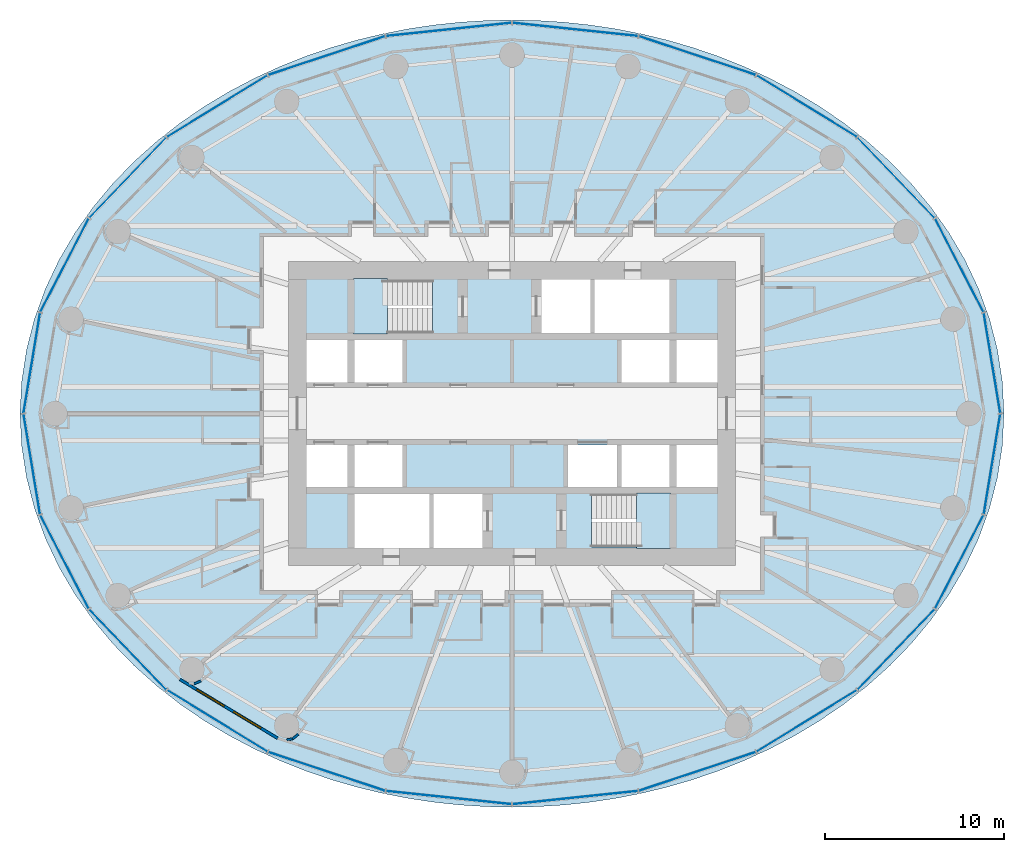
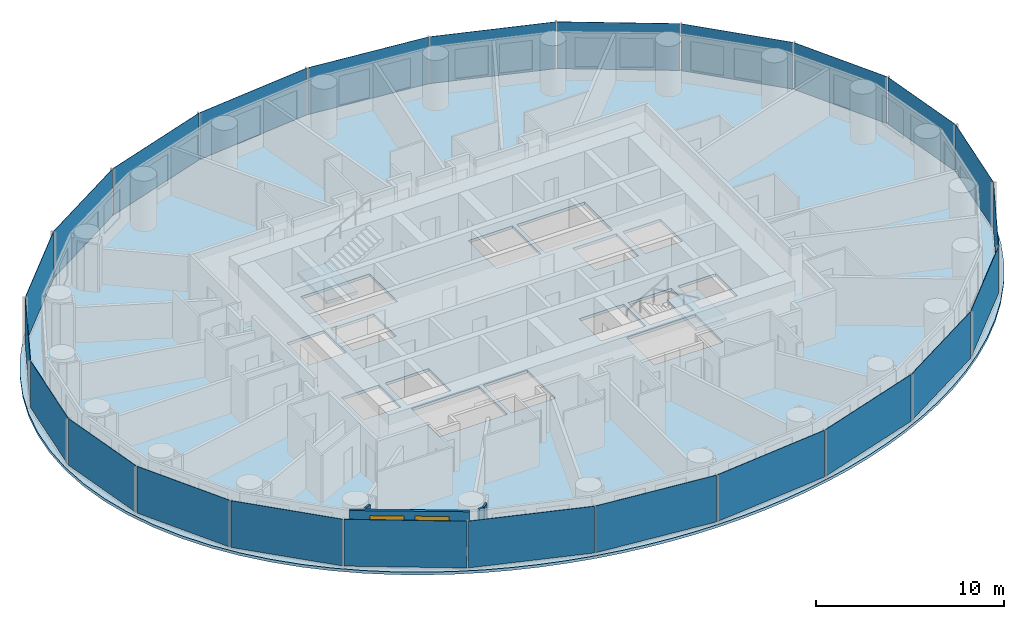
# One storey, part 5 of 14: 24 plates, 4 walls, 3 slabs, 2 windows, 2 openings, 6 elements without a shape of their own.
"""IFC4 building model written with IfcOpenShell, lengths in metres."""

from ifc_helpers import new_model, si_unit, direction, frame, frame_2d, origin, origin_2d, place, context, subcontext, project, spatial, polyline, rectangle, outline, extrude, material, layer, layer_set, type_object, element, fill, aggregate, save


model = new_model("IFC4")

# Units and contexts
model_context = context("Model", 3, precision=1e-05, world=origin(), true_north=direction((0.0, 1.0)))
body_context = subcontext(model_context, "Body", "Model", "MODEL_VIEW")
ifc_project = project(units=[si_unit("LENGTHUNIT", "METRE"), si_unit("AREAUNIT", "SQUARE_METRE"), si_unit("VOLUMEUNIT", "CUBIC_METRE"), si_unit("PLANEANGLEUNIT", "RADIAN"), si_unit("MASSUNIT", "GRAM", prefix="KILO")], contexts=[model_context])

# Site, building, storey
site_placement = place(None, origin())
site = spatial("IfcSite", under=ifc_project, at=site_placement, CompositionType="ELEMENT")
building_placement = place(site_placement, origin())
building = spatial("IfcBuilding", under=site, at=building_placement, Name="Hankou Lantern Tower", CompositionType="ELEMENT")
storey_placement = place(building_placement, frame((0.0, 0.0, 50.699951171875)))
storey = spatial("IfcBuildingStorey", under=building, at=storey_placement, Name="L11", CompositionType="ELEMENT", Elevation=50.699951171875)

# Curtain wall, plates
ifc_material_1 = material(Name="Glass, dark grey tinted laminated", Category="glass")
curtain_wall_type = type_object("IfcCurtainWallType", Name="CWA OUTER SKIN LOW-RISE", PredefinedType="USERDEFINED", material=ifc_material_1)
curtain_wall_1_placement = place(storey_placement, origin())
curtain_wall_1 = element("IfcCurtainWall", 1, at=curtain_wall_1_placement, inside=storey, type_object=curtain_wall_type, Name="CWA L11 OS1", ObjectType="OUTER SKIN LOW-RISE", PredefinedType="USERDEFINED")
ifc_material_2 = material(Name="Glass, dark grey tinted laminated", Category="glass")
ifc_layer_1 = layer(ifc_material_2, 0.02392578125)
ifc_layer_set_1 = layer_set([ifc_layer_1], Name="Glass, dark grey tinted laminated")
plate_type = type_object("IfcPlateType", Name="PN1 OUTER SKIN GLASS PANEL", PredefinedType="CURTAIN_PANEL", material=ifc_layer_set_1)
plate_1_placement = place(storey_placement, frame((26.8349609375, 2.826416015625, 0.080078125), z_axis=(0.0, 0.0, 1.0), x_axis=(-0.162381515188, 0.986728049427, 0.0)))
plate_1 = element("IfcPlate", 2, at=plate_1_placement, type_object=plate_type, Name="CWA glass panel 1", PredefinedType="CURTAIN_PANEL", context=body_context, shape_type="SweptSolid", body=[
    extrude(rectangle(XDim=5.648681640625, YDim=0.02392578125, at=origin_2d()), origin(), (0.0, 0.0, 1.0), 3.0400390625),
])
plate_2_placement = place(storey_placement, frame((25.006103515625, 8.286376953125, 0.080078125), z_axis=(0.0, 0.0, 1.0), x_axis=(-0.459791091957, 0.888027112062, 0.0)))
plate_2 = element("IfcPlate", 3, at=plate_2_placement, type_object=plate_type, Name="CWA glass panel 2", PredefinedType="CURTAIN_PANEL", context=body_context, shape_type="SweptSolid", body=[
    extrude(rectangle(XDim=5.8515625, YDim=0.02392578125, at=origin_2d()), origin(), (0.0, 0.0, 1.0), 3.0400390625),
])
plate_3_placement = place(storey_placement, frame((21.47314453125, 13.181640625, 0.080078125), z_axis=(0.0, 0.0, 1.0), x_axis=(-0.692215809936, 0.721690565599, 0.0)))
plate_3 = element("IfcPlate", 4, at=plate_3_placement, type_object=plate_type, Name="CWA glass panel 3", PredefinedType="CURTAIN_PANEL", context=body_context, shape_type="SweptSolid", body=[
    extrude(rectangle(XDim=6.1875, YDim=0.02392578125, at=origin_2d()), origin(), (0.0, 0.0, 1.0), 3.0400390625),
])
plate_4_placement = place(storey_placement, frame((16.47705078125, 17.1787109375, 0.080078125), z_axis=(0.0, 0.0, 1.0), x_axis=(-0.852237151549, 0.523155653242, 0.0)))
plate_4 = element("IfcPlate", 5, at=plate_4_placement, type_object=plate_type, Name="CWA glass panel 4", PredefinedType="CURTAIN_PANEL", context=body_context, shape_type="SweptSolid", body=[
    extrude(rectangle(XDim=6.554443359375, YDim=0.02392578125, at=origin_2d()), origin(), (0.0, 0.0, 1.0), 3.0400390625),
])
plate_5_placement = place(storey_placement, frame((10.35791015625, 20.0048828125, 0.080078125), z_axis=(0.0, 0.0, 1.0), x_axis=(-0.949240677293, 0.31455068999, 0.0)))
plate_5 = element("IfcPlate", 6, at=plate_5_placement, type_object=plate_type, Name="CWA glass panel 5", PredefinedType="CURTAIN_PANEL", context=body_context, shape_type="SweptSolid", body=[
    extrude(rectangle(XDim=6.856201171875, YDim=0.02392578125, at=origin_2d()), origin(), (0.0, 0.0, 1.0), 3.0400390625),
])
plate_6_placement = place(storey_placement, frame((3.532958984375, 21.468017578125, 0.080078125), z_axis=(0.0, 0.0, 1.0), x_axis=(-0.994499359107, 0.104742659579, 0.0)))
plate_6 = element("IfcPlate", 7, at=plate_6_placement, type_object=plate_type, Name="CWA glass panel 6", PredefinedType="CURTAIN_PANEL", context=body_context, shape_type="SweptSolid", body=[
    extrude(rectangle(XDim=7.02490234375, YDim=0.02392578125, at=origin_2d()), origin(), (0.0, 0.0, 1.0), 3.0400390625),
])
aggregate(curtain_wall_1, [plate_1, plate_2, plate_3, plate_4, plate_5, plate_6])

curtain_wall_2_placement = place(storey_placement, origin())
curtain_wall_2 = element("IfcCurtainWall", 8, at=curtain_wall_2_placement, inside=storey, type_object=curtain_wall_type, Name="CWA L11 OS2", ObjectType="OUTER SKIN LOW-RISE", PredefinedType="USERDEFINED")
plate_7_placement = place(storey_placement, frame((-3.532958984375, 21.468017578125, 0.080078125), z_axis=(0.0, 0.0, 1.0), x_axis=(-0.994499359107, -0.104742659579, 0.0)))
plate_7 = element("IfcPlate", 9, at=plate_7_placement, type_object=plate_type, Name="CWA glass panel 1", PredefinedType="CURTAIN_PANEL", context=body_context, shape_type="SweptSolid", body=[
    extrude(rectangle(XDim=7.02490234375, YDim=0.02392578125, at=origin_2d()), origin(), (0.0, 0.0, 1.0), 3.0400390625),
])
plate_8_placement = place(storey_placement, frame((-10.35791015625, 20.0048828125, 0.080078125), z_axis=(0.0, 0.0, 1.0), x_axis=(-0.949240677293, -0.31455068999, 0.0)))
plate_8 = element("IfcPlate", 10, at=plate_8_placement, type_object=plate_type, Name="CWA glass panel 2", PredefinedType="CURTAIN_PANEL", context=body_context, shape_type="SweptSolid", body=[
    extrude(rectangle(XDim=6.856201171875, YDim=0.02392578125, at=origin_2d()), origin(), (0.0, 0.0, 1.0), 3.0400390625),
])
plate_9_placement = place(storey_placement, frame((-16.47705078125, 17.1787109375, 0.080078125), z_axis=(0.0, 0.0, 1.0), x_axis=(-0.852237151549, -0.523155653242, 0.0)))
plate_9 = element("IfcPlate", 11, at=plate_9_placement, type_object=plate_type, Name="CWA glass panel 3", PredefinedType="CURTAIN_PANEL", context=body_context, shape_type="SweptSolid", body=[
    extrude(rectangle(XDim=6.554443359375, YDim=0.02392578125, at=origin_2d()), origin(), (0.0, 0.0, 1.0), 3.0400390625),
])
plate_10_placement = place(storey_placement, frame((-21.47314453125, 13.181640625, 0.080078125), z_axis=(0.0, 0.0, 1.0), x_axis=(-0.692215809936, -0.721690565599, 0.0)))
plate_10 = element("IfcPlate", 12, at=plate_10_placement, type_object=plate_type, Name="CWA glass panel 4", PredefinedType="CURTAIN_PANEL", context=body_context, shape_type="SweptSolid", body=[
    extrude(rectangle(XDim=6.1875, YDim=0.02392578125, at=origin_2d()), origin(), (0.0, 0.0, 1.0), 3.0400390625),
])
plate_11_placement = place(storey_placement, frame((-25.006103515625, 8.286376953125, 0.080078125), z_axis=(0.0, 0.0, 1.0), x_axis=(-0.459791091957, -0.888027112062, 0.0)))
plate_11 = element("IfcPlate", 13, at=plate_11_placement, type_object=plate_type, Name="CWA glass panel 5", PredefinedType="CURTAIN_PANEL", context=body_context, shape_type="SweptSolid", body=[
    extrude(rectangle(XDim=5.8515625, YDim=0.02392578125, at=origin_2d()), origin(), (0.0, 0.0, 1.0), 3.0400390625),
])
plate_12_placement = place(storey_placement, frame((-26.8349609375, 2.826416015625, 0.080078125), z_axis=(0.0, 0.0, 1.0), x_axis=(-0.162381515188, -0.986728049427, 0.0)))
plate_12 = element("IfcPlate", 14, at=plate_12_placement, type_object=plate_type, Name="CWA glass panel 6", PredefinedType="CURTAIN_PANEL", context=body_context, shape_type="SweptSolid", body=[
    extrude(rectangle(XDim=5.648681640625, YDim=0.02392578125, at=origin_2d()), origin(), (0.0, 0.0, 1.0), 3.0400390625),
])
aggregate(curtain_wall_2, [plate_7, plate_8, plate_9, plate_10, plate_11, plate_12])

curtain_wall_3_placement = place(storey_placement, origin())
curtain_wall_3 = element("IfcCurtainWall", 15, at=curtain_wall_3_placement, inside=storey, type_object=curtain_wall_type, Name="CWA L11 OS3", ObjectType="OUTER SKIN LOW-RISE", PredefinedType="USERDEFINED")
plate_13_placement = place(storey_placement, frame((-26.8349609375, -2.826416015625, 0.080078125), z_axis=(0.0, 0.0, 1.0), x_axis=(0.162381515188, -0.986728049427, 0.0)))
plate_13 = element("IfcPlate", 16, at=plate_13_placement, type_object=plate_type, Name="CWA glass panel 1", PredefinedType="CURTAIN_PANEL", context=body_context, shape_type="SweptSolid", body=[
    extrude(rectangle(XDim=5.648681640625, YDim=0.02392578125, at=origin_2d()), origin(), (0.0, 0.0, 1.0), 3.0400390625),
])
plate_14_placement = place(storey_placement, frame((-25.006103515625, -8.286376953125, 0.080078125), z_axis=(0.0, 0.0, 1.0), x_axis=(0.459791091957, -0.888027112062, 0.0)))
plate_14 = element("IfcPlate", 17, at=plate_14_placement, type_object=plate_type, Name="CWA glass panel 2", PredefinedType="CURTAIN_PANEL", context=body_context, shape_type="SweptSolid", body=[
    extrude(rectangle(XDim=5.8515625, YDim=0.02392578125, at=origin_2d()), origin(), (0.0, 0.0, 1.0), 3.0400390625),
])
plate_15_placement = place(storey_placement, frame((-21.47314453125, -13.181640625, 0.080078125), z_axis=(0.0, 0.0, 1.0), x_axis=(0.692215809936, -0.721690565599, 0.0)))
plate_15 = element("IfcPlate", 18, at=plate_15_placement, type_object=plate_type, Name="CWA glass panel 3", PredefinedType="CURTAIN_PANEL", context=body_context, shape_type="SweptSolid", body=[
    extrude(rectangle(XDim=6.1875, YDim=0.02392578125, at=origin_2d()), origin(), (0.0, 0.0, 1.0), 3.0400390625),
])
plate_16_placement = place(storey_placement, frame((-16.47705078125, -17.1787109375, 0.080078125), z_axis=(0.0, 0.0, 1.0), x_axis=(0.852237151549, -0.523155653242, 0.0)))
plate_16 = element("IfcPlate", 19, at=plate_16_placement, type_object=plate_type, Name="CWA glass panel 4", PredefinedType="CURTAIN_PANEL", context=body_context, shape_type="SweptSolid", body=[
    extrude(rectangle(XDim=6.554443359375, YDim=0.02392578125, at=origin_2d()), origin(), (0.0, 0.0, 1.0), 3.0400390625),
])
plate_17_placement = place(storey_placement, frame((-10.35791015625, -20.0048828125, 0.080078125), z_axis=(0.0, 0.0, 1.0), x_axis=(0.949240677293, -0.31455068999, 0.0)))
plate_17 = element("IfcPlate", 20, at=plate_17_placement, type_object=plate_type, Name="CWA glass panel 5", PredefinedType="CURTAIN_PANEL", context=body_context, shape_type="SweptSolid", body=[
    extrude(rectangle(XDim=6.856201171875, YDim=0.02392578125, at=origin_2d()), origin(), (0.0, 0.0, 1.0), 3.0400390625),
])
plate_18_placement = place(storey_placement, frame((-3.532958984375, -21.468017578125, 0.080078125), z_axis=(0.0, 0.0, 1.0), x_axis=(0.994499359107, -0.104742659579, 0.0)))
plate_18 = element("IfcPlate", 21, at=plate_18_placement, type_object=plate_type, Name="CWA glass panel 6", PredefinedType="CURTAIN_PANEL", context=body_context, shape_type="SweptSolid", body=[
    extrude(rectangle(XDim=7.02490234375, YDim=0.02392578125, at=origin_2d()), origin(), (0.0, 0.0, 1.0), 3.0400390625),
])
aggregate(curtain_wall_3, [plate_13, plate_14, plate_15, plate_16, plate_17, plate_18])

curtain_wall_4_placement = place(storey_placement, origin())
curtain_wall_4 = element("IfcCurtainWall", 22, at=curtain_wall_4_placement, inside=storey, type_object=curtain_wall_type, Name="CWA L11 OS4", ObjectType="OUTER SKIN LOW-RISE", PredefinedType="USERDEFINED")
plate_19_placement = place(storey_placement, frame((3.532958984375, -21.468017578125, 0.080078125), z_axis=(0.0, 0.0, 1.0), x_axis=(0.994499359107, 0.104742659579, 0.0)))
plate_19 = element("IfcPlate", 23, at=plate_19_placement, type_object=plate_type, Name="CWA glass panel 1", PredefinedType="CURTAIN_PANEL", context=body_context, shape_type="SweptSolid", body=[
    extrude(rectangle(XDim=7.02490234375, YDim=0.02392578125, at=origin_2d()), origin(), (0.0, 0.0, 1.0), 3.0400390625),
])
plate_20_placement = place(storey_placement, frame((10.35791015625, -20.0048828125, 0.080078125), z_axis=(0.0, 0.0, 1.0), x_axis=(0.949240677293, 0.31455068999, 0.0)))
plate_20 = element("IfcPlate", 24, at=plate_20_placement, type_object=plate_type, Name="CWA glass panel 2", PredefinedType="CURTAIN_PANEL", context=body_context, shape_type="SweptSolid", body=[
    extrude(rectangle(XDim=6.856201171875, YDim=0.02392578125, at=origin_2d()), origin(), (0.0, 0.0, 1.0), 3.0400390625),
])
plate_21_placement = place(storey_placement, frame((16.47705078125, -17.1787109375, 0.080078125), z_axis=(0.0, 0.0, 1.0), x_axis=(0.852237151549, 0.523155653242, 0.0)))
plate_21 = element("IfcPlate", 25, at=plate_21_placement, type_object=plate_type, Name="CWA glass panel 3", PredefinedType="CURTAIN_PANEL", context=body_context, shape_type="SweptSolid", body=[
    extrude(rectangle(XDim=6.554443359375, YDim=0.02392578125, at=origin_2d()), origin(), (0.0, 0.0, 1.0), 3.0400390625),
])
plate_22_placement = place(storey_placement, frame((21.47314453125, -13.181640625, 0.080078125), z_axis=(0.0, 0.0, 1.0), x_axis=(0.692215809936, 0.721690565599, 0.0)))
plate_22 = element("IfcPlate", 26, at=plate_22_placement, type_object=plate_type, Name="CWA glass panel 4", PredefinedType="CURTAIN_PANEL", context=body_context, shape_type="SweptSolid", body=[
    extrude(rectangle(XDim=6.1875, YDim=0.02392578125, at=origin_2d()), origin(), (0.0, 0.0, 1.0), 3.0400390625),
])
plate_23_placement = place(storey_placement, frame((25.006103515625, -8.286376953125, 0.080078125), z_axis=(0.0, 0.0, 1.0), x_axis=(0.459791091957, 0.888027112062, 0.0)))
plate_23 = element("IfcPlate", 27, at=plate_23_placement, type_object=plate_type, Name="CWA glass panel 5", PredefinedType="CURTAIN_PANEL", context=body_context, shape_type="SweptSolid", body=[
    extrude(rectangle(XDim=5.8515625, YDim=0.02392578125, at=origin_2d()), origin(), (0.0, 0.0, 1.0), 3.0400390625),
])
plate_24_placement = place(storey_placement, frame((26.8349609375, -2.826416015625, 0.080078125), z_axis=(0.0, 0.0, 1.0), x_axis=(0.162381515188, 0.986728049427, 0.0)))
plate_24 = element("IfcPlate", 28, at=plate_24_placement, type_object=plate_type, Name="CWA glass panel 6", PredefinedType="CURTAIN_PANEL", context=body_context, shape_type="SweptSolid", body=[
    extrude(rectangle(XDim=5.648681640625, YDim=0.02392578125, at=origin_2d()), origin(), (0.0, 0.0, 1.0), 3.0400390625),
])
aggregate(curtain_wall_4, [plate_19, plate_20, plate_21, plate_22, plate_23, plate_24])

# Slab
ifc_material_3 = material(Name="Concrete C50", Category="concrete")
ifc_layer_2 = layer(ifc_material_3, 0.179931640625)
ifc_layer_set_2 = layer_set([ifc_layer_2], Name="Concrete C50")
slab_type_1 = type_object("IfcSlabType", Name="S1 CONCRETE FLOOR SLAB 180", PredefinedType="FLOOR", material=ifc_layer_set_2)
slab_1_placement = place(storey_placement, frame((0.0, 0.0, -0.179931640625)))
element("IfcSlab", 29, at=slab_1_placement, inside=storey, type_object=slab_type_1, Name="Floor slab L11", PredefinedType="FLOOR", context=body_context, shape_type="SweptSolid", body=[
    extrude(outline(polyline([(27.5, 0.0), (27.408203125, 1.79638671875), (27.135009765625, 3.572509765625), (26.6875, 5.308349609375), (26.076171875, 6.987060546875), (25.3154296875, 8.593505859375), (24.420654296875, 10.115478515625), (23.40966796875, 11.54443359375), (22.29931640625, 12.87451171875), (21.1064453125, 14.102783203125), (19.846435546875, 15.228759765625), (18.533447265625, 16.25341796875), (17.17919921875, 17.17919921875), (15.794189453125, 18.009765625), (14.38671875, 18.749267578125), (12.964111328125, 19.402099609375), (11.53125, 19.972412109375), (10.09228515625, 20.46484375), (8.650146484375, 20.88330078125), (7.20703125, 21.23095703125), (5.763916015625, 21.51123046875), (4.32177734375, 21.7265625), (2.88037109375, 21.87890625), (1.43994140625, 21.9697265625), (0.0, 22.0), (-1.43994140625, 21.9697265625), (-2.88037109375, 21.87890625), (-4.32177734375, 21.7265625), (-5.763916015625, 21.51123046875), (-7.20703125, 21.23095703125), (-8.650146484375, 20.88330078125), (-10.09228515625, 20.46484375), (-11.53125, 19.972412109375), (-12.964111328125, 19.402099609375), (-14.38671875, 18.749267578125), (-15.794189453125, 18.009765625), (-17.17919921875, 17.17919921875), (-18.533447265625, 16.25341796875), (-19.846435546875, 15.228759765625), (-21.1064453125, 14.102783203125), (-22.29931640625, 12.87451171875), (-23.40966796875, 11.54443359375), (-24.420654296875, 10.115478515625), (-25.3154296875, 8.593505859375), (-26.076171875, 6.987060546875), (-26.6875, 5.308349609375), (-27.135009765625, 3.572509765625), (-27.408203125, 1.79638671875), (-27.5, 0.0), (-27.408203125, -1.79638671875), (-27.135009765625, -3.572509765625), (-26.6875, -5.308349609375), (-26.076171875, -6.987060546875), (-25.3154296875, -8.593505859375), (-24.420654296875, -10.115478515625), (-23.40966796875, -11.54443359375), (-22.29931640625, -12.87451171875), (-21.1064453125, -14.102783203125), (-19.846435546875, -15.228759765625), (-18.533447265625, -16.25341796875), (-17.17919921875, -17.17919921875), (-15.794189453125, -18.009765625), (-14.38671875, -18.749267578125), (-12.964111328125, -19.402099609375), (-11.53125, -19.972412109375), (-10.09228515625, -20.46484375), (-8.650146484375, -20.88330078125), (-7.20703125, -21.23095703125), (-5.763916015625, -21.51123046875), (-4.32177734375, -21.7265625), (-2.88037109375, -21.87890625), (-1.43994140625, -21.9697265625), (0.0, -22.0), (1.43994140625, -21.9697265625), (2.88037109375, -21.87890625), (4.32177734375, -21.7265625), (5.763916015625, -21.51123046875), (7.20703125, -21.23095703125), (8.650146484375, -20.88330078125), (10.09228515625, -20.46484375), (11.53125, -19.972412109375), (12.964111328125, -19.402099609375), (14.38671875, -18.749267578125), (15.794189453125, -18.009765625), (17.17919921875, -17.17919921875), (18.533447265625, -16.25341796875), (19.846435546875, -15.228759765625), (21.1064453125, -14.102783203125), (22.29931640625, -12.87451171875), (23.40966796875, -11.54443359375), (24.420654296875, -10.115478515625), (25.3154296875, -8.593505859375), (26.076171875, -6.987060546875), (26.6875, -5.308349609375), (27.135009765625, -3.572509765625), (27.408203125, -1.79638671875), (27.5, 0.0)]), holes=[polyline([(-11.5, 4.10009765625), (-9.199951171875, 4.10009765625), (-9.199951171875, 1.75), (-11.5, 1.75), (-11.5, 4.10009765625)]), polyline([(-8.800048828125, 4.10009765625), (-6.125, 4.10009765625), (-6.125, 1.75), (-8.800048828125, 1.75), (-8.800048828125, 4.10009765625)]), polyline([(6.125, 4.10009765625), (8.800048828125, 4.10009765625), (8.800048828125, 1.75), (6.125, 1.75), (6.125, 4.10009765625)]), polyline([(9.199951171875, 4.10009765625), (11.5, 4.10009765625), (11.5, 1.75), (9.199951171875, 1.75), (9.199951171875, 4.10009765625)]), polyline([(-11.5, -1.75), (-9.199951171875, -1.75), (-9.199951171875, -4.10009765625), (-11.5, -4.10009765625), (-11.5, -1.75)]), polyline([(-8.800048828125, -1.75), (-6.125, -1.75), (-6.125, -4.10009765625), (-8.800048828125, -4.10009765625), (-8.800048828125, -1.75)]), polyline([(3.125, -1.75), (5.875, -1.75), (5.875, -4.10009765625), (3.125, -4.10009765625), (3.125, -1.75)]), polyline([(6.125, -1.75), (8.800048828125, -1.75), (8.800048828125, -4.10009765625), (6.125, -4.10009765625), (6.125, -1.75)]), polyline([(9.199951171875, -1.75), (11.5, -1.75), (11.5, -4.10009765625), (9.199951171875, -4.10009765625), (9.199951171875, -1.75)]), polyline([(1.64990234375, 7.5), (4.375, 7.5), (4.375, 4.5), (1.64990234375, 4.5), (1.64990234375, 7.5)]), polyline([(-4.375, -4.5), (-1.64990234375, -4.5), (-1.64990234375, -7.5), (-4.375, -7.5), (-4.375, -4.5)]), polyline([(-8.699951171875, 7.449951171875), (-4.449951171875, 7.449951171875), (-4.449951171875, 4.5), (-8.699951171875, 4.5), (-8.699951171875, 7.449951171875)]), polyline([(4.449951171875, -4.5), (8.699951171875, -4.5), (8.699951171875, -7.449951171875), (4.449951171875, -7.449951171875), (4.449951171875, -4.5)]), polyline([(4.625, 7.5), (8.800048828125, 7.5), (8.800048828125, 4.5), (4.625, 4.5), (4.625, 7.5)]), polyline([(-8.800048828125, -4.5), (-4.625, -4.5), (-4.625, -7.5), (-8.800048828125, -7.5), (-8.800048828125, -4.5)])]), origin(), (0.0, 0.0, 1.0), 0.179931640625),
])

# Stair, slab
ifc_material_4 = material(Name="Concrete C40", Category="concrete")
stair_type = type_object("IfcStairType", Name="ST33 CORE STAIR 3300 RISE", PredefinedType="HALF_TURN_STAIR", material=ifc_material_4)
stair_1_placement = place(storey_placement, origin())
stair_1 = element("IfcStair", 30, at=stair_1_placement, inside=storey, type_object=stair_type, Name="Stair STA L11", PredefinedType="HALF_TURN_STAIR")
ifc_material_5 = material(Name="Concrete C40", Category="concrete")
ifc_layer_3 = layer(ifc_material_5, 0.199951171875)
ifc_layer_set_3 = layer_set([ifc_layer_3], Name="Concrete C40")
slab_type_2 = type_object("IfcSlabType", Name="SL1 STAIR LANDING 200", PredefinedType="LANDING", material=ifc_layer_set_3)
slab_2_placement = place(storey_placement, frame((0.0, 0.0, 1.37158203125)))
slab_2 = element("IfcSlab", 31, at=slab_2_placement, type_object=slab_type_2, Name="STA landing 1", PredefinedType="LANDING", context=body_context, shape_type="SweptSolid", body=[
    extrude(outline(polyline([(-8.85009765625, 4.449951171875), (-6.949951171875, 4.449951171875), (-6.949951171875, 7.550048828125), (-8.85009765625, 7.550048828125), (-8.85009765625, 4.449951171875)])), origin(), (0.0, 0.0, 1.0), 0.199951171875),
])
aggregate(stair_1, [slab_2])

stair_2_placement = place(storey_placement, origin())
stair_2 = element("IfcStair", 32, at=stair_2_placement, inside=storey, type_object=stair_type, Name="Stair STB L11", PredefinedType="HALF_TURN_STAIR")
slab_3_placement = place(storey_placement, frame((0.0, 0.0, 1.37158203125)))
slab_3 = element("IfcSlab", 33, at=slab_3_placement, type_object=slab_type_2, Name="STB landing 1", PredefinedType="LANDING", context=body_context, shape_type="SweptSolid", body=[
    extrude(outline(polyline([(8.85009765625, -4.449951171875), (6.949951171875, -4.449951171875), (6.949951171875, -7.550048828125), (8.85009765625, -7.550048828125), (8.85009765625, -4.449951171875)])), origin(), (0.0, 0.0, 1.0), 0.199951171875),
])
aggregate(stair_2, [slab_3])

# Wall, openings, windows
ifc_material_6 = material(Name="Aluminium spandrel panel on steel studs", Category="steel")
ifc_layer_4 = layer(ifc_material_6, 0.14990234375)
ifc_layer_set_4 = layer_set([ifc_layer_4], Name="Aluminium spandrel panel on steel studs")
wall_type_1 = type_object("IfcWallType", Name="EW1 INNER SKIN WALL 150", PredefinedType="ELEMENTEDWALL", material=ifc_layer_set_4)
wall_1_placement = place(storey_placement, frame((-18.569580078125, -14.855712890625, 0.0), z_axis=(0.0, 0.0, 1.0), x_axis=(0.856983180864, -0.515344377787, 0.0)))
wall_1 = element("IfcWall", 34, at=wall_1_placement, inside=storey, type_object=wall_type_1, Name="Inner skin R16-R17 L11", PredefinedType="ELEMENTEDWALL", context=body_context, shape_type="SweptSolid", body=[
    extrude(rectangle(XDim=6.386474609375, YDim=0.14990234375, at=frame_2d((3.193359375, 0.0))), origin(), (0.0, 0.0, 1.0), 3.1201171875),
])
opening_1_placement = place(wall_1_placement, frame((1.09326171875, 0.0, 0.89990234375)))
opening_1 = element("IfcOpeningElement", 35, at=opening_1_placement, cuts=wall_1, Name="Opening W1", PredefinedType="OPENING", context=body_context, shape_type="SweptSolid", body=[
    extrude(rectangle(XDim=1.800048828125, YDim=1.89990234375, at=frame_2d((0.89990234375, 0.949951171875))), frame((0.0, 0.0849609375, 0.0), z_axis=(0.0, -1.0, 0.0), x_axis=(1.0, 0.0, 0.0)), (0.0, 0.0, 1.0), 0.169921875),
])
opening_2_placement = place(wall_1_placement, frame((3.4931640625, 0.0, 0.89990234375)))
opening_2 = element("IfcOpeningElement", 36, at=opening_2_placement, cuts=wall_1, Name="Opening W1", PredefinedType="OPENING", context=body_context, shape_type="SweptSolid", body=[
    extrude(rectangle(XDim=1.800048828125, YDim=1.89990234375, at=frame_2d((0.89990234375, 0.949951171875))), frame((0.0, 0.0849609375, 0.0), z_axis=(0.0, -1.0, 0.0), x_axis=(1.0, 0.0, 0.0)), (0.0, 0.0, 1.0), 0.169921875),
])
ifc_material_7 = material(Name="Aluminium framed double glazed window", Category="aluminium")
window_type = type_object("IfcWindowType", Name="W1 GUEST ROOM WINDOW 1800X1900", PartitioningType="DOUBLE_PANEL_VERTICAL", PredefinedType="WINDOW", material=ifc_material_7)
window_1_placement = place(opening_1_placement, origin())
window_1 = element("IfcWindow", 37, at=window_1_placement, inside=storey, type_object=window_type, Name="Window R16.1 L11", OverallHeight=1.89990234375, OverallWidth=1.800048828125, PartitioningType="SINGLE_PANEL", PredefinedType="WINDOW", context=body_context, shape_type="SweptSolid", body=[
    extrude(rectangle(XDim=1.800048828125, YDim=1.89990234375, at=frame_2d((0.89990234375, 0.949951171875))), frame((0.0, 0.030029296875, 0.0), z_axis=(0.0, -1.0, 0.0), x_axis=(1.0, 0.0, 0.0)), (0.0, 0.0, 1.0), 0.06005859375),
])
fill(opening_1, window_1)
window_2_placement = place(opening_2_placement, origin())
window_2 = element("IfcWindow", 38, at=window_2_placement, inside=storey, type_object=window_type, Name="Window R16.2 L11", OverallHeight=1.89990234375, OverallWidth=1.800048828125, PartitioningType="SINGLE_PANEL", PredefinedType="WINDOW", context=body_context, shape_type="SweptSolid", body=[
    extrude(rectangle(XDim=1.800048828125, YDim=1.89990234375, at=frame_2d((0.89990234375, 0.949951171875))), frame((0.0, 0.030029296875, 0.0), z_axis=(0.0, -1.0, 0.0), x_axis=(1.0, 0.0, 0.0)), (0.0, 0.0, 1.0), 0.06005859375),
])
fill(opening_2, window_2)

# Walls
ifc_material_8 = material(Name="Masonry lightweight concrete block", Category="masonry")
ifc_layer_5 = layer(ifc_material_8, 0.1201171875)
ifc_layer_set_5 = layer_set([ifc_layer_5], Name="Masonry lightweight concrete block")
wall_type_2 = type_object("IfcWallType", Name="IW4 PARTITION 120", PredefinedType="PARTITIONING", material=ifc_layer_set_5)
wall_2_placement = place(storey_placement, frame((-17.38720703125, -14.94384765625, 0.0), z_axis=(0.0, 0.0, 1.0), x_axis=(-0.916036698064, -0.401094462441, 0.0)))
element("IfcWall", 39, at=wall_2_placement, inside=storey, type_object=wall_type_2, Name="Column casing R16", PredefinedType="PARTITIONING", context=body_context, shape_type="SweptSolid", body=[
    extrude(rectangle(XDim=0.418212890625, YDim=0.1201171875, at=frame_2d((0.208984375, 0.0))), origin(), (0.0, 0.0, 1.0), 3.1201171875),
])
wall_3_placement = place(storey_placement, frame((-11.93603515625, -17.9189453125, 0.0), z_axis=(0.0, 0.0, 1.0), x_axis=(-0.775023088441, -0.631932917629, 0.0)))
element("IfcWall", 40, at=wall_3_placement, inside=storey, type_object=wall_type_2, Name="Column casing R17", PredefinedType="PARTITIONING", context=body_context, shape_type="SweptSolid", body=[
    extrude(rectangle(XDim=0.41796875, YDim=0.1201171875, at=frame_2d((0.208984375, 0.0))), origin(), (0.0, 0.0, 1.0), 3.1201171875),
])
wall_4_placement = place(storey_placement, frame((-12.260009765625, -18.18310546875, 0.0), z_axis=(0.0, 0.0, 1.0), x_axis=(-0.987218661664, -0.159371622511, 0.0)))
element("IfcWall", 41, at=wall_4_placement, inside=storey, type_object=wall_type_2, Name="Column casing R17", PredefinedType="PARTITIONING", context=body_context, shape_type="SweptSolid", body=[
    extrude(rectangle(XDim=0.330810546875, YDim=0.1201171875, at=frame_2d((0.16552734375, 0.0))), origin(), (0.0, 0.0, 1.0), 3.1201171875),
])

save(model, "model.ifc")
